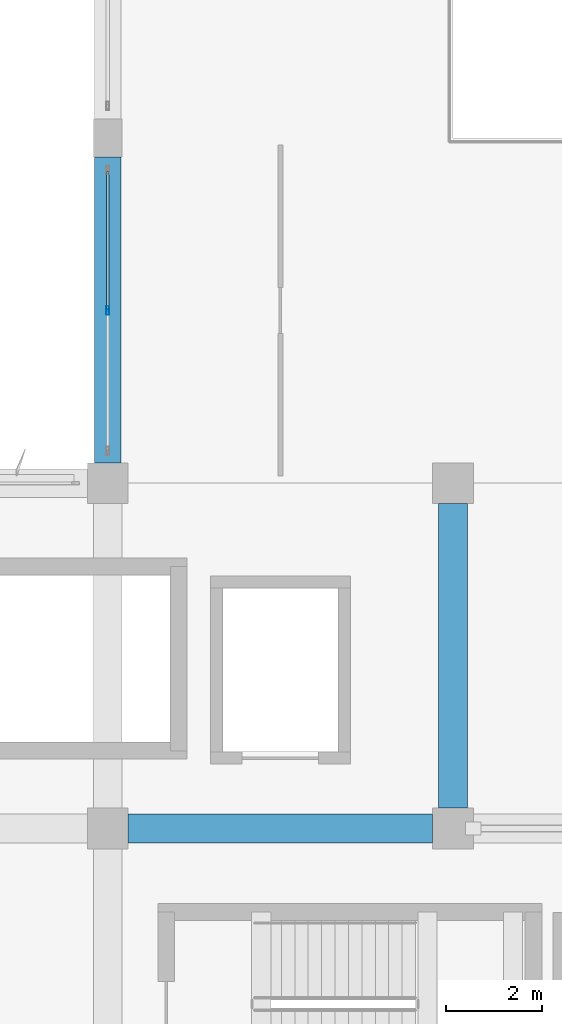
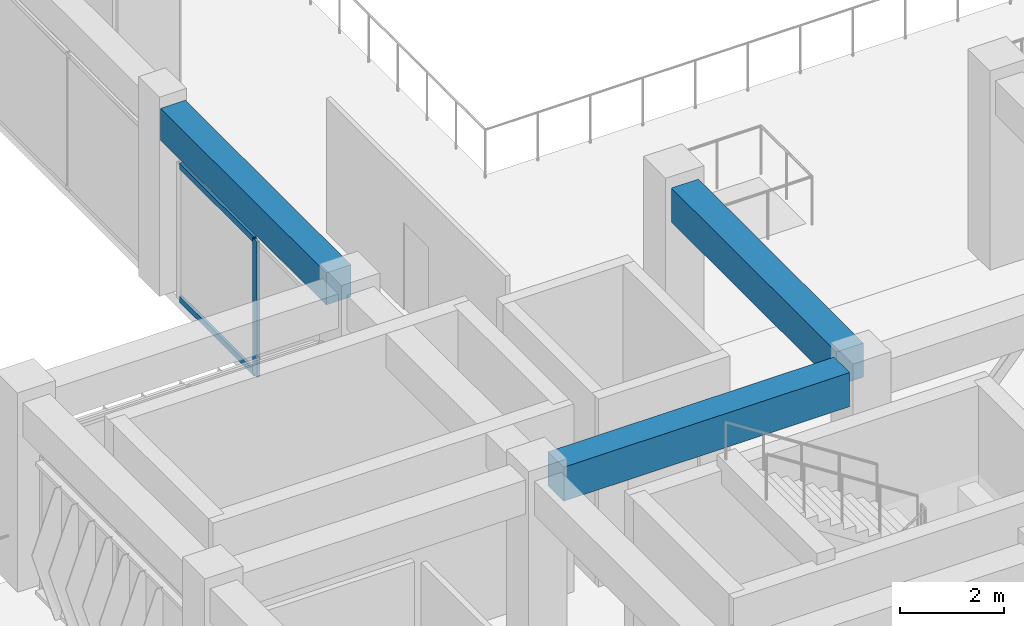
# One storey, part 8 of 55: 3 beams, 3 members, 1 element without a shape of its own.
"""IFC4 building model written with IfcOpenShell, lengths in metres."""

from ifc_helpers import new_model, si_unit, direction, frame, origin, origin_2d, place, context, subcontext, project, spatial, rectangle, hollow_rectangle, extrude, material, material_profile, profile_set, type_object, element, aggregate, save


model = new_model("IFC4")

# Units and contexts
model_context = context("Model", 3, precision=1e-05, world=origin(), true_north=direction((0.0, 1.0)))
body_context = subcontext(model_context, "Body", "Model", "MODEL_VIEW")
ifc_project = project(units=[si_unit("LENGTHUNIT", "METRE"), si_unit("AREAUNIT", "SQUARE_METRE"), si_unit("VOLUMEUNIT", "CUBIC_METRE"), si_unit("PLANEANGLEUNIT", "RADIAN"), si_unit("MASSUNIT", "GRAM", prefix="KILO")], contexts=[model_context])

# Site, building, storey
site_placement = place(None, origin())
site = spatial("IfcSite", under=ifc_project, at=site_placement, CompositionType="ELEMENT")
building_placement = place(site_placement, origin())
building = spatial("IfcBuilding", under=site, at=building_placement, Name="Kazehaya Institute of Natural Sciences", CompositionType="ELEMENT")
storey_placement = place(building_placement, frame((0.0, 0.0, 15.1201171875)))
storey = spatial("IfcBuildingStorey", under=building, at=storey_placement, Name="L03", CompositionType="ELEMENT", Elevation=15.1201171875)

# Beams
ifc_material_1 = material(Name="Concrete Fc36", Category="concrete")
ifc_material_profile_1 = material_profile(ifc_material_1, rectangle(XDim=0.550048828125, YDim=0.75, at=origin_2d()), Name="RC-550x750")
ifc_profile_set_1 = profile_set([ifc_material_profile_1], Name="Concrete Fc36")
beam_type_1 = type_object("IfcBeamType", Name="BM-G-550x750", PredefinedType="BEAM", material=ifc_profile_set_1)
beam_1_placement = place(storey_placement, frame((61.800048828125, 36.02490234375, 4.034912109375), z_axis=(0.0, 1.0, 0.0), x_axis=(-1.0, 0.0, 0.0)))
element("IfcBeam", 1, at=beam_1_placement, inside=storey, type_object=beam_type_1, Name="L03 primary Y girder BMY-L03-618-356", PredefinedType="BEAM", context=body_context, shape_type="SweptSolid", body=[
    extrude(rectangle(XDim=0.550048828125, YDim=0.75, at=origin_2d()), origin(), (0.0, 0.0, 1.0), 6.375),
])
ifc_material_profile_2 = material_profile(ifc_material_1, rectangle(XDim=0.60009765625, YDim=0.800048828125, at=origin_2d()), Name="RC-600x800")
ifc_profile_set_2 = profile_set([ifc_material_profile_2], Name="Concrete Fc36")
beam_type_2 = type_object("IfcBeamType", Name="BM-G-600x800", PredefinedType="BEAM", material=ifc_profile_set_2)
beam_2_placement = place(storey_placement, frame((62.22509765625, 28.39990234375, 4.009765625), z_axis=(1.0, 0.0, 0.0), x_axis=(0.0, 1.0, 0.0)))
element("IfcBeam", 2, at=beam_2_placement, inside=storey, type_object=beam_type_2, Name="L03 primary X girder BMX-L03-618-284", PredefinedType="BEAM", context=body_context, shape_type="SweptSolid", body=[
    extrude(rectangle(XDim=0.60009765625, YDim=0.800048828125, at=origin_2d()), origin(), (0.0, 0.0, 1.0), 6.349853515625),
])
beam_3_placement = place(storey_placement, frame((69.0, 28.824951171875, 4.009765625), z_axis=(0.0, 1.0, 0.0), x_axis=(-1.0, 0.0, 0.0)))
element("IfcBeam", 3, at=beam_3_placement, inside=storey, type_object=beam_type_2, Name="L03 primary Y girder BMY-L03-690-284", PredefinedType="BEAM", context=body_context, shape_type="SweptSolid", body=[
    extrude(rectangle(XDim=0.60009765625, YDim=0.800048828125, at=origin_2d()), origin(), (0.0, 0.0, 1.0), 6.35009765625),
])

# Curtain wall, members
ifc_material_2 = material(Name="Aluminium alloy A6063S-T5", Category="aluminium")
curtain_wall_type = type_object("IfcCurtainWallType", Name="CW-SYS-04", PredefinedType="NOTDEFINED", material=ifc_material_2)
curtain_wall_placement = place(storey_placement, origin())
curtain_wall = element("IfcCurtainWall", 4, at=curtain_wall_placement, inside=storey, type_object=curtain_wall_type, Name="L03 unitised curtain wall CW-L03-031", PredefinedType="NOTDEFINED")
ifc_material_profile_3 = material_profile(ifc_material_2, hollow_rectangle(XDim=0.06005859375, YDim=0.179931640625, WallThickness=0.00390625, at=origin_2d()), Name="ALU-60x180x4")
ifc_profile_set_3 = profile_set([ifc_material_profile_3], Name="Aluminium alloy A6063S-T5")
member_type_1 = type_object("IfcMemberType", Name="CWM-180", PredefinedType="MULLION", material=ifc_profile_set_3)
member_1_placement = place(storey_placement, frame((61.800048828125, 39.199951171875, 0.0), z_axis=(0.0, 0.0, 1.0), x_axis=(-1.0, 0.0, 0.0)))
member_1 = element("IfcMember", 5, at=member_1_placement, type_object=member_type_1, Name="CW04 mullion 2", PredefinedType="MULLION", context=body_context, shape_type="SweptSolid", body=[
    extrude(hollow_rectangle(XDim=0.06005859375, YDim=0.179931640625, WallThickness=0.00390625, at=origin_2d()), origin(), (0.0, 0.0, 1.0), 3.179931640625),
])
ifc_material_profile_4 = material_profile(ifc_material_2, hollow_rectangle(XDim=0.06005859375, YDim=0.139892578125, WallThickness=0.00341796875, at=origin_2d()), Name="ALU-60x140x3.5")
ifc_profile_set_4 = profile_set([ifc_material_profile_4], Name="Aluminium alloy A6063S-T5")
member_type_2 = type_object("IfcMemberType", Name="CWT-140", PredefinedType="USERDEFINED", material=ifc_profile_set_4)
member_2_placement = place(storey_placement, frame((61.800048828125, 39.22998046875, 0.02978515625), z_axis=(0.0, 1.0, 0.0), x_axis=(-1.0, 0.0, 0.0)))
member_2 = element("IfcMember", 6, at=member_2_placement, type_object=member_type_2, Name="CW04 transom 2.1", ObjectType="TRANSOM", PredefinedType="USERDEFINED", context=body_context, shape_type="SweptSolid", body=[
    extrude(hollow_rectangle(XDim=0.06005859375, YDim=0.139892578125, WallThickness=0.00341796875, at=origin_2d()), origin(), (0.0, 0.0, 1.0), 2.8701171875),
])
member_3_placement = place(storey_placement, frame((61.800048828125, 39.22998046875, 3.14990234375), z_axis=(0.0, 1.0, 0.0), x_axis=(-1.0, 0.0, 0.0)))
member_3 = element("IfcMember", 7, at=member_3_placement, type_object=member_type_2, Name="CW04 transom 2.2", ObjectType="TRANSOM", PredefinedType="USERDEFINED", context=body_context, shape_type="SweptSolid", body=[
    extrude(hollow_rectangle(XDim=0.06005859375, YDim=0.139892578125, WallThickness=0.00341796875, at=origin_2d()), origin(), (0.0, 0.0, 1.0), 2.8701171875),
])
aggregate(curtain_wall, [member_1, member_2, member_3])

save(model, "model.ifc")
